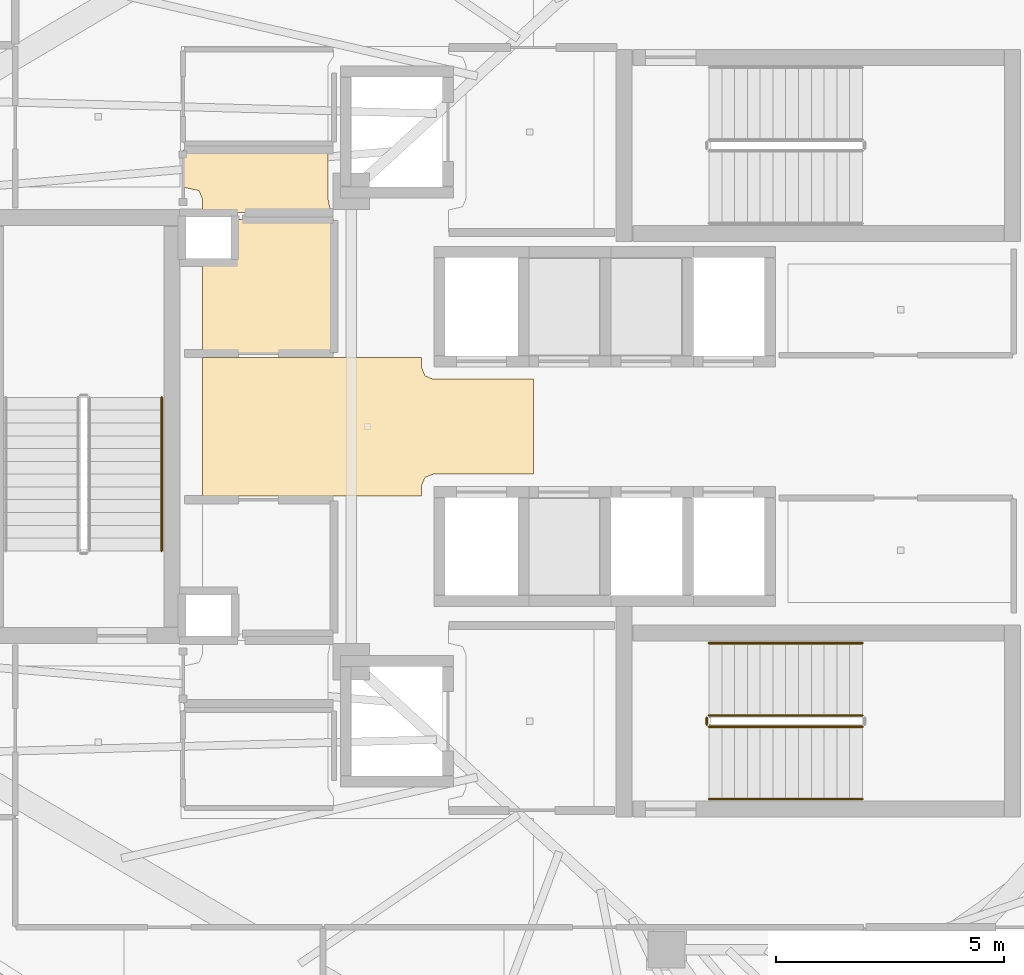
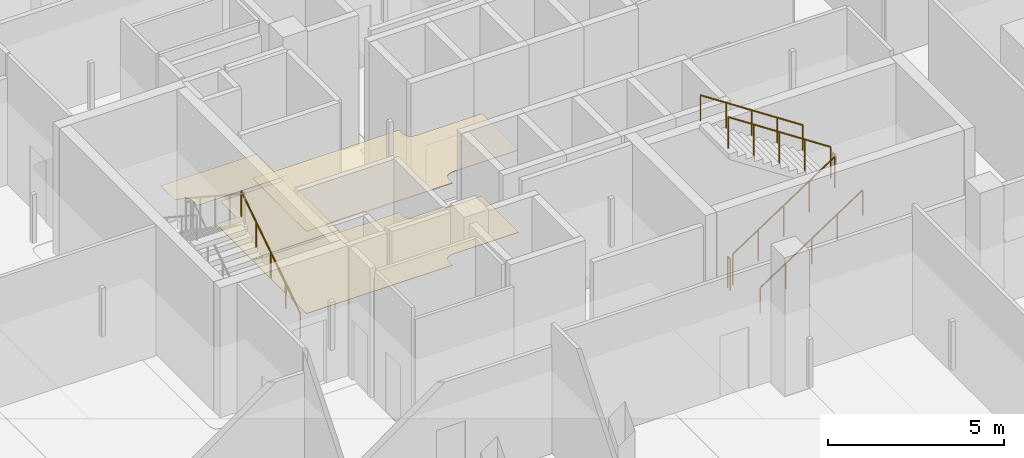
# One storey, part 32 of 36: 6 railings, 4 coverings.
"""IFC4 building model written with IfcOpenShell, lengths in metres."""

from ifc_helpers import new_model, si_unit, direction, frame, origin, origin_2d, place, context, subcontext, project, spatial, polyline, circle, outline, extrude, material, layer, layer_set, type_object, element, save


model = new_model("IFC4")

# Units and contexts
model_context = context("Model", 3, precision=1e-05, world=origin(), true_north=direction((0.0, 1.0)))
body_context = subcontext(model_context, "Body", "Model", "MODEL_VIEW")
ifc_project = project(units=[si_unit("LENGTHUNIT", "METRE"), si_unit("AREAUNIT", "SQUARE_METRE"), si_unit("VOLUMEUNIT", "CUBIC_METRE"), si_unit("PLANEANGLEUNIT", "RADIAN"), si_unit("MASSUNIT", "GRAM", prefix="KILO")], contexts=[model_context])

# Site, building, storey
site_placement = place(None, origin())
site = spatial("IfcSite", under=ifc_project, at=site_placement, CompositionType="ELEMENT")
building_placement = place(site_placement, origin())
building = spatial("IfcBuilding", under=site, at=building_placement, Name="Qorvath Tower", CompositionType="ELEMENT")
storey_placement = place(building_placement, frame((0.0, 0.0, 255.0)))
storey = spatial("IfcBuildingStorey", under=building, at=storey_placement, Name="L59", CompositionType="ELEMENT", Elevation=255.0)

# Coverings
ifc_material_1 = material(Name="Acoustic mineral fibre ceiling tile", Category="gypsum")
ifc_layer_1 = layer(ifc_material_1, 0.030029296875)
ifc_layer_set_1 = layer_set([ifc_layer_1], Name="COV-CEIL")
covering_type_1 = type_object("IfcCoveringType", Name="COV-CEIL", PredefinedType="CEILING", material=ifc_layer_set_1)
covering_1_placement = place(storey_placement, frame((0.0, 0.0, 2.85009765625)))
element("IfcCovering", 1, at=covering_1_placement, inside=storey, type_object=covering_type_1, Name="L59 Suspended Acoustic Ceiling 013", PredefinedType="CEILING", context=body_context, shape_type="SweptSolid", body=[
    extrude(outline(polyline([(-26.5107421875, -1.0400390625), (-26.5107421875, 1.0400390625), (-28.7099609375, 1.0400390625), (-28.88671875, 1.11328125), (-28.9599609375, 1.2900390625), (-28.9599609375, 1.514892578125), (-33.760009765625, 1.514892578125), (-33.760009765625, -1.514892578125), (-28.9599609375, -1.514892578125), (-28.9599609375, -1.2900390625), (-28.88671875, -1.11328125), (-28.7099609375, -1.0400390625), (-26.5107421875, -1.0400390625)])), origin(), (0.0, 0.0, 1.0), 0.030029296875),
])
ifc_material_2 = material(Name="Low-VOC modular carpet tile", Category="textile")
ifc_layer_2 = layer(ifc_material_2, 0.014892578125)
ifc_layer_set_2 = layer_set([ifc_layer_2], Name="COV-FLOOR-CPT")
covering_type_2 = type_object("IfcCoveringType", Name="COV-FLOOR-CPT", PredefinedType="FLOORING", material=ifc_layer_set_2)
covering_2_placement = place(storey_placement, origin())
element("IfcCovering", 2, at=covering_2_placement, inside=storey, type_object=covering_type_2, Name="L59 Floor Finish 006", PredefinedType="FLOORING", context=body_context, shape_type="SweptSolid", body=[
    extrude(outline(polyline([(-31.010009765625, 4.989990234375), (-31.010009765625, 6.054931640625), (-34.175048828125, 6.054931640625), (-34.175048828125, 5.239990234375), (-33.833251953125, 5.166748046875), (-33.760009765625, 4.989990234375), (-33.760009765625, 4.68505859375), (-30.8896484375, 4.68505859375), (-30.9599609375, 4.75), (-31.010009765625, 4.989990234375)])), origin(), (0.0, 0.0, 1.0), 0.014892578125),
])
covering_3_placement = place(storey_placement, origin())
element("IfcCovering", 3, at=covering_3_placement, inside=storey, type_object=covering_type_2, Name="L59 Floor Finish 007", PredefinedType="FLOORING", context=body_context, shape_type="SweptSolid", body=[
    extrude(outline(polyline([(-33.760009765625, 3.636962890625), (-33.760009765625, 1.60498046875), (-30.885009765625, 1.60498046875), (-30.885009765625, 4.534912109375), (-33.0869140625, 4.534912109375), (-33.092041015625, 3.636962890625), (-33.760009765625, 3.636962890625)])), origin(), (0.0, 0.0, 1.0), 0.014892578125),
])
ifc_material_3 = material(Name="Polished epoxy terrazzo flooring", Category="concrete")
ifc_layer_3 = layer(ifc_material_3, 0.02001953125)
ifc_layer_set_3 = layer_set([ifc_layer_3], Name="COV-FLOOR-TRZ")
covering_type_3 = type_object("IfcCoveringType", Name="COV-FLOOR-TRZ", PredefinedType="FLOORING", material=ifc_layer_set_3)
covering_4_placement = place(storey_placement, origin())
element("IfcCovering", 4, at=covering_4_placement, inside=storey, type_object=covering_type_3, Name="L59 Floor Finish 013", PredefinedType="FLOORING", context=body_context, shape_type="SweptSolid", body=[
    extrude(outline(polyline([(-26.5107421875, -1.0400390625), (-26.5107421875, 1.0400390625), (-28.7099609375, 1.0400390625), (-28.88671875, 1.11328125), (-28.9599609375, 1.2900390625), (-28.9599609375, 1.514892578125), (-33.760009765625, 1.514892578125), (-33.760009765625, -1.514892578125), (-28.9599609375, -1.514892578125), (-28.9599609375, -1.2900390625), (-28.88671875, -1.11328125), (-28.7099609375, -1.0400390625), (-26.5107421875, -1.0400390625)])), origin(), (0.0, 0.0, 1.0), 0.014892578125),
])

# Railings
ifc_material_4 = material(Name="Painted galvanised steel", Category="steel")
railing_type_1 = type_object("IfcRailingType", Name="RL-STR-GRD", PredefinedType="GUARDRAIL", material=ifc_material_4)
railing_1_placement = place(storey_placement, frame((-22.669921875, -6.570068359375, 0.1845703125)))
element("IfcRailing", 5, at=railing_1_placement, inside=storey, type_object=railing_type_1, Name="L59 TS2 stair guard 1", PredefinedType="GUARDRAIL", context=body_context, shape_type="SweptSolid", body=[
    extrude(circle(Radius=0.02392578125, at=origin_2d()), frame((0.0, 0.0, 1.076171875), z_axis=(0.834858096282, 0.0, 0.550465220583), x_axis=(0.0, 1.0, 0.0)), (0.0, 0.0, 1.0), 4.0244140625),
    extrude(circle(Radius=0.02099609375, at=origin_2d()), origin(), (0.0, 0.0, 1.0), 1.052001953125),
    extrude(circle(Radius=0.02099609375, at=origin_2d()), frame((0.83984375, 0.0, 0.5537109375)), (0.0, 0.0, 1.0), 1.052001953125),
    extrude(circle(Radius=0.02099609375, at=origin_2d()), frame((1.679931640625, 0.0, 1.107666015625)), (0.0, 0.0, 1.0), 1.052001953125),
    extrude(circle(Radius=0.02099609375, at=origin_2d()), frame((2.52001953125, 0.0, 1.66162109375)), (0.0, 0.0, 1.0), 1.052001953125),
    extrude(circle(Radius=0.02099609375, at=origin_2d()), frame((3.35986328125, 0.0, 2.21533203125)), (0.0, 0.0, 1.0), 1.052001953125),
])
railing_2_placement = place(storey_placement, frame((-19.31005859375, -6.320068359375, 2.584716796875)))
element("IfcRailing", 6, at=railing_2_placement, inside=storey, type_object=railing_type_1, Name="L59 TS2 stair guard 3", PredefinedType="GUARDRAIL", context=body_context, shape_type="SweptSolid", body=[
    extrude(circle(Radius=0.02392578125, at=origin_2d()), frame((0.0, 0.0, 1.076171875), z_axis=(-0.834858096282, 0.0, 0.550465220583), x_axis=(0.0, -1.0, 0.0)), (0.0, 0.0, 1.0), 4.0244140625),
    extrude(circle(Radius=0.02099609375, at=origin_2d()), origin(), (0.0, 0.0, 1.0), 1.052001953125),
    extrude(circle(Radius=0.02099609375, at=origin_2d()), frame((-0.83984375, 0.0, 0.5537109375)), (0.0, 0.0, 1.0), 1.052001953125),
    extrude(circle(Radius=0.02099609375, at=origin_2d()), frame((-1.679931640625, 0.0, 1.107666015625)), (0.0, 0.0, 1.0), 1.052001953125),
    extrude(circle(Radius=0.02099609375, at=origin_2d()), frame((-2.52001953125, 0.0, 1.66162109375)), (0.0, 0.0, 1.0), 1.052001953125),
    extrude(circle(Radius=0.02099609375, at=origin_2d()), frame((-3.35986328125, 0.0, 2.21533203125)), (0.0, 0.0, 1.0), 1.052001953125),
])
railing_3_placement = place(storey_placement, frame((-22.719970703125, -6.52001953125, 0.0)))
element("IfcRailing", 7, at=railing_3_placement, inside=storey, type_object=railing_type_1, Name="L59 TS2 stair guard 4", PredefinedType="GUARDRAIL", context=body_context, shape_type="SweptSolid", body=[
    extrude(circle(Radius=0.02392578125, at=origin_2d()), frame((0.0, 0.0, 1.076171875), z_axis=(0.0, 1.0, 0.0), x_axis=(-1.0, 0.0, 0.0)), (0.0, 0.0, 1.0), 0.14990234375),
    extrude(circle(Radius=0.02099609375, at=origin_2d()), origin(), (0.0, 0.0, 1.0), 1.052001953125),
    extrude(circle(Radius=0.02099609375, at=origin_2d()), frame((0.0, 0.14990234375, 0.0)), (0.0, 0.0, 1.0), 1.052001953125),
])
ifc_material_5 = material(Name="Brushed stainless steel AISI 304", Category="steel")
railing_type_2 = type_object("IfcRailingType", Name="RL-STR-HND", PredefinedType="HANDRAIL", material=ifc_material_5)
railing_4_placement = place(storey_placement, frame((-22.669921875, -8.14990234375, 0.1845703125)))
element("IfcRailing", 8, at=railing_4_placement, inside=storey, type_object=railing_type_2, Name="L59 TS2 stair handrail 1", PredefinedType="HANDRAIL", context=body_context, shape_type="SweptSolid", body=[
    extrude(circle(Radius=0.02392578125, at=origin_2d()), frame((0.0, 0.0, 0.8759765625), z_axis=(0.834858096282, 0.0, 0.550465220583), x_axis=(0.0, 1.0, 0.0)), (0.0, 0.0, 1.0), 4.0244140625),
    extrude(circle(Radius=0.02099609375, at=origin_2d()), origin(), (0.0, 0.0, 1.0), 0.851806640625),
    extrude(circle(Radius=0.02099609375, at=origin_2d()), frame((0.83984375, 0.0, 0.5537109375)), (0.0, 0.0, 1.0), 0.851806640625),
    extrude(circle(Radius=0.02099609375, at=origin_2d()), frame((1.679931640625, 0.0, 1.107666015625)), (0.0, 0.0, 1.0), 0.851806640625),
    extrude(circle(Radius=0.02099609375, at=origin_2d()), frame((2.52001953125, 0.0, 1.66162109375)), (0.0, 0.0, 1.0), 0.851806640625),
    extrude(circle(Radius=0.02099609375, at=origin_2d()), frame((3.35986328125, 0.0, 2.21533203125)), (0.0, 0.0, 1.0), 0.851806640625),
])
railing_5_placement = place(storey_placement, frame((-19.31005859375, -4.739990234375, 2.584716796875)))
element("IfcRailing", 9, at=railing_5_placement, inside=storey, type_object=railing_type_2, Name="L59 TS2 stair handrail 2", PredefinedType="HANDRAIL", context=body_context, shape_type="SweptSolid", body=[
    extrude(circle(Radius=0.02392578125, at=origin_2d()), frame((0.0, 0.0, 0.8759765625), z_axis=(-0.834858096282, 0.0, 0.550465220583), x_axis=(0.0, -1.0, 0.0)), (0.0, 0.0, 1.0), 4.0244140625),
    extrude(circle(Radius=0.02099609375, at=origin_2d()), origin(), (0.0, 0.0, 1.0), 0.851806640625),
    extrude(circle(Radius=0.02099609375, at=origin_2d()), frame((-0.83984375, 0.0, 0.5537109375)), (0.0, 0.0, 1.0), 0.851806640625),
    extrude(circle(Radius=0.02099609375, at=origin_2d()), frame((-1.679931640625, 0.0, 1.107666015625)), (0.0, 0.0, 1.0), 0.851806640625),
    extrude(circle(Radius=0.02099609375, at=origin_2d()), frame((-2.52001953125, 0.0, 1.66162109375)), (0.0, 0.0, 1.0), 0.851806640625),
    extrude(circle(Radius=0.02099609375, at=origin_2d()), frame((-3.35986328125, 0.0, 2.21533203125)), (0.0, 0.0, 1.0), 0.851806640625),
])
railing_6_placement = place(storey_placement, frame((-34.64990234375, -2.719970703125, 0.1845703125)))
element("IfcRailing", 10, at=railing_6_placement, inside=storey, type_object=railing_type_2, Name="L59 TS3 stair handrail 1", PredefinedType="HANDRAIL", context=body_context, shape_type="SweptSolid", body=[
    extrude(circle(Radius=0.02392578125, at=origin_2d()), frame((0.0, 0.0, 0.8759765625), z_axis=(0.0, 0.834858096282, 0.550465220583), x_axis=(-1.0, 0.0, 0.0)), (0.0, 0.0, 1.0), 4.0244140625),
    extrude(circle(Radius=0.02099609375, at=origin_2d()), origin(), (0.0, 0.0, 1.0), 0.851806640625),
    extrude(circle(Radius=0.02099609375, at=origin_2d()), frame((0.0, 0.83984375, 0.5537109375)), (0.0, 0.0, 1.0), 0.851806640625),
    extrude(circle(Radius=0.02099609375, at=origin_2d()), frame((0.0, 1.679931640625, 1.107666015625)), (0.0, 0.0, 1.0), 0.851806640625),
    extrude(circle(Radius=0.02099609375, at=origin_2d()), frame((0.0, 2.52001953125, 1.66162109375)), (0.0, 0.0, 1.0), 0.851806640625),
    extrude(circle(Radius=0.02099609375, at=origin_2d()), frame((0.0, 3.35986328125, 2.21533203125)), (0.0, 0.0, 1.0), 0.851806640625),
])

save(model, "model.ifc")
